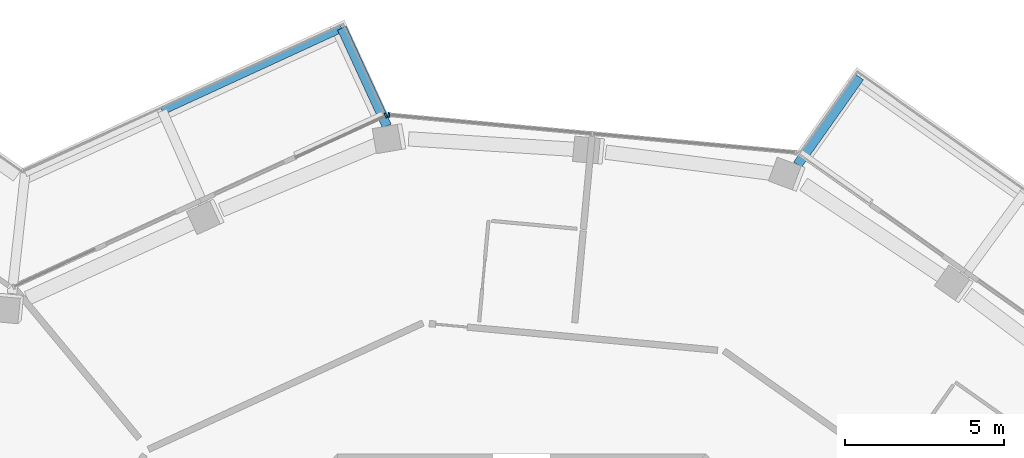
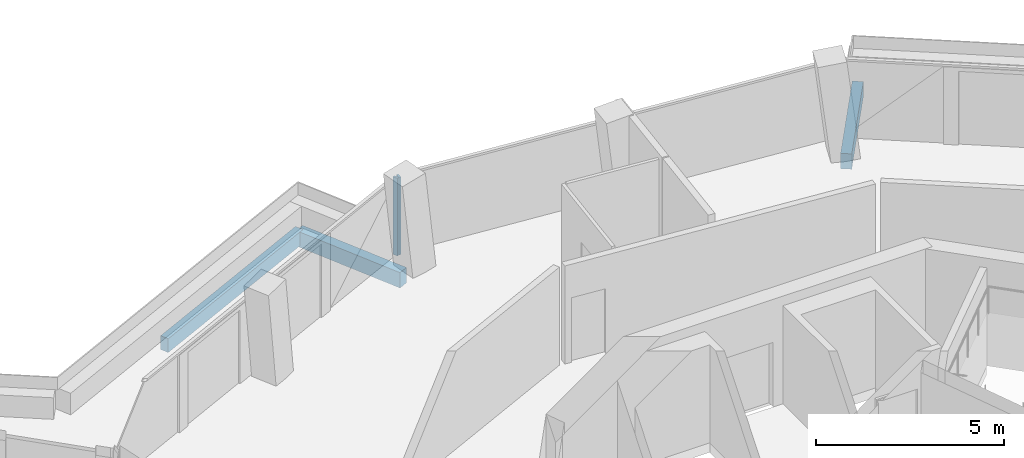
# One storey, part 11 of 23: 3 beams, 2 members, 2 elements without a shape of their own.
"""IFC4 building model written with IfcOpenShell, lengths in metres."""

from ifc_helpers import new_model, si_unit, direction, frame, origin, origin_2d, place, context, subcontext, project, spatial, rectangle, extrude, material, layer, layer_set, material_profile, profile_set, type_object, element, aggregate, save


model = new_model("IFC4")

# Units and contexts
model_context = context("Model", 3, precision=1e-05, world=origin(), true_north=direction((0.0, 1.0)))
body_context = subcontext(model_context, "Body", "Model", "MODEL_VIEW")
ifc_project = project(units=[si_unit("LENGTHUNIT", "METRE"), si_unit("AREAUNIT", "SQUARE_METRE"), si_unit("VOLUMEUNIT", "CUBIC_METRE"), si_unit("PLANEANGLEUNIT", "RADIAN"), si_unit("MASSUNIT", "GRAM", prefix="KILO")], contexts=[model_context])

# Site, building, storey
site_placement = place(None, origin())
site = spatial("IfcSite", under=ifc_project, at=site_placement, CompositionType="ELEMENT")
building_placement = place(site_placement, origin())
building = spatial("IfcBuilding", under=site, at=building_placement, Name="Verdalira Terraces Hotel", CompositionType="ELEMENT")
storey_placement = place(building_placement, frame((0.0, 0.0, 256.0)))
storey = spatial("IfcBuildingStorey", under=building, at=storey_placement, Name="L63", CompositionType="ELEMENT", Elevation=256.0)

# Beams
ifc_material_1 = material(Name="Concrete C40", Category="concrete")
ifc_material_profile_1 = material_profile(ifc_material_1, rectangle(XDim=0.300049, YDim=0.5, at=origin_2d()), Name="RC 300X500")
ifc_profile_set_1 = profile_set([ifc_material_profile_1], Name="Concrete C40")
beam_type_1 = type_object("IfcBeamType", Name="Balcony cantilever beam RC 300X500 C40", PredefinedType="BEAM", material=ifc_profile_set_1)
beam_1_placement = place(storey_placement, frame((8.689453, 23.104248, -0.560059), z_axis=(0.577582189, 0.816332539, 0.0), x_axis=(-0.816332539, 0.577582189, 0.0)))
element("IfcBeam", 1, at=beam_1_placement, inside=storey, type_object=beam_type_1, Name="Balcony cantilever beam R38-3", PredefinedType="BEAM", context=body_context, shape_type="SweptSolid", body=[
    extrude(rectangle(XDim=0.300049, YDim=0.5, at=origin_2d()), origin(), (0.0, 0.0, 1.0), 3.378662),
])
beam_2_placement = place(storey_placement, frame((-4.23877, 24.320801, -0.560059), z_axis=(-0.418118164, 0.908392647, 0.0), x_axis=(-0.908392647, -0.418118164, 0.0)))
element("IfcBeam", 2, at=beam_2_placement, inside=storey, type_object=beam_type_1, Name="Balcony cantilever beam R41-1", PredefinedType="BEAM", context=body_context, shape_type="SweptSolid", body=[
    extrude(rectangle(XDim=0.300049, YDim=0.5, at=origin_2d()), origin(), (0.0, 0.0, 1.0), 3.393555),
])
ifc_material_2 = material(Name="Concrete C40", Category="concrete")
ifc_material_profile_2 = material_profile(ifc_material_2, rectangle(XDim=0.25, YDim=0.449951, at=origin_2d()), Name="RC 250X450")
ifc_profile_set_2 = profile_set([ifc_material_profile_2], Name="Concrete C40")
beam_type_2 = type_object("IfcBeamType", Name="Balcony edge beam RC 250X450 C40", PredefinedType="BEAM", material=ifc_profile_set_2)
beam_3_placement = place(storey_placement, frame((-5.657715, 27.403564, -0.534912), z_axis=(-0.908357289, -0.418194973, 0.0), x_axis=(0.418194973, -0.908357289, 0.0)))
element("IfcBeam", 3, at=beam_3_placement, inside=storey, type_object=beam_type_2, Name="Balcony edge beam R41-1", PredefinedType="BEAM", context=body_context, shape_type="SweptSolid", body=[
    extrude(rectangle(XDim=0.25, YDim=0.449951, at=origin_2d()), origin(), (0.0, 0.0, 1.0), 6.225098),
])

# Curtain wall, member
ifc_material_3 = material(Name="Clear glass", Category="glass")
ifc_layer = layer(ifc_material_3, 0.14990234375)
ifc_layer_set = layer_set([ifc_layer], Name="CW1 curtain wall")
curtain_wall_type = type_object("IfcCurtainWallType", Name="CW1 curtain wall", PredefinedType="NOTDEFINED", material=ifc_layer_set)
curtain_wall_1_placement = place(storey_placement, origin())
curtain_wall_1 = element("IfcCurtainWall", 4, at=curtain_wall_1_placement, inside=storey, type_object=curtain_wall_type, Name="CW1 curtain wall L63 edge 40", PredefinedType="NOTDEFINED")
ifc_material_4 = material(Name="Terracotta frame", Category="masonry")
ifc_material_profile_3 = material_profile(ifc_material_4, rectangle(XDim=0.060059, YDim=0.149902, at=origin_2d()), Name="MU 60x150")
ifc_profile_set_3 = profile_set([ifc_material_profile_3], Name="Terracotta frame")
member_type = type_object("IfcMemberType", Name="CW1 mullion 60x150", PredefinedType="MULLION", material=ifc_profile_set_3)
member_1_placement = place(storey_placement, frame((-4.177002, 24.672363, 0.0), z_axis=(0.0, 0.0, 1.0), x_axis=(-0.995756881, 0.092023008, 0.0)))
member_1 = element("IfcMember", 5, at=member_1_placement, type_object=member_type, Name="CW1 mullion", PredefinedType="MULLION", context=body_context, shape_type="SweptSolid", body=[
    extrude(rectangle(XDim=0.060059, YDim=0.149902, at=origin_2d()), origin(), (0.0, 0.0, 1.0), 2.524902),
])
aggregate(curtain_wall_1, [member_1])

curtain_wall_2_placement = place(storey_placement, origin())
curtain_wall_2 = element("IfcCurtainWall", 6, at=curtain_wall_2_placement, inside=storey, type_object=curtain_wall_type, Name="CW1 curtain wall L63 edge 41", PredefinedType="NOTDEFINED")
member_2_placement = place(storey_placement, frame((-4.272461, 24.656006, 0.0), z_axis=(0.0, 0.0, 1.0), x_axis=(-0.908362259, -0.418184178, 0.0)))
member_2 = element("IfcMember", 7, at=member_2_placement, type_object=member_type, Name="CW1 mullion", PredefinedType="MULLION", context=body_context, shape_type="SweptSolid", body=[
    extrude(rectangle(XDim=0.060059, YDim=0.149902, at=origin_2d()), origin(), (0.0, 0.0, 1.0), 2.524902),
])
aggregate(curtain_wall_2, [member_2])

save(model, "model.ifc")
